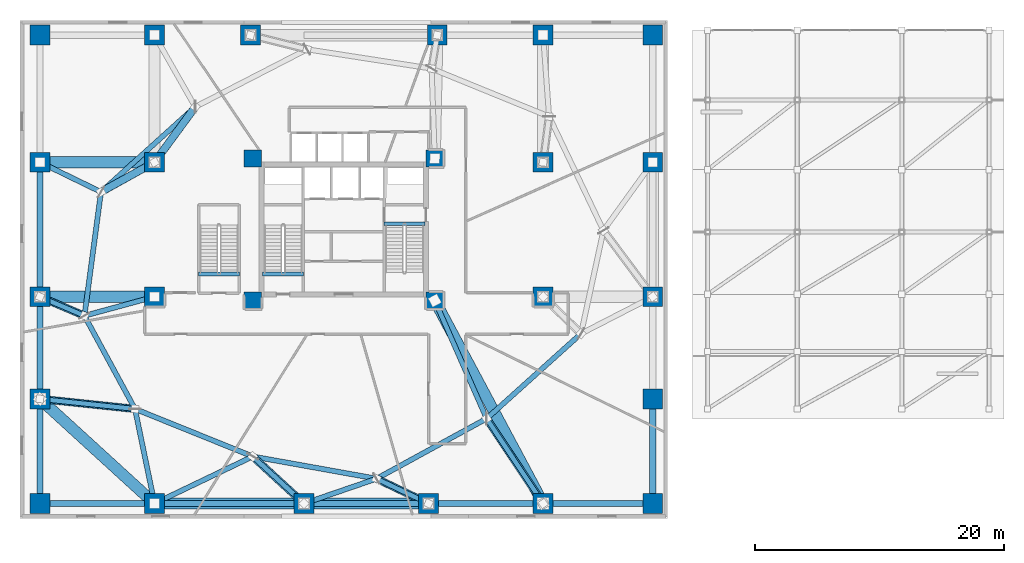
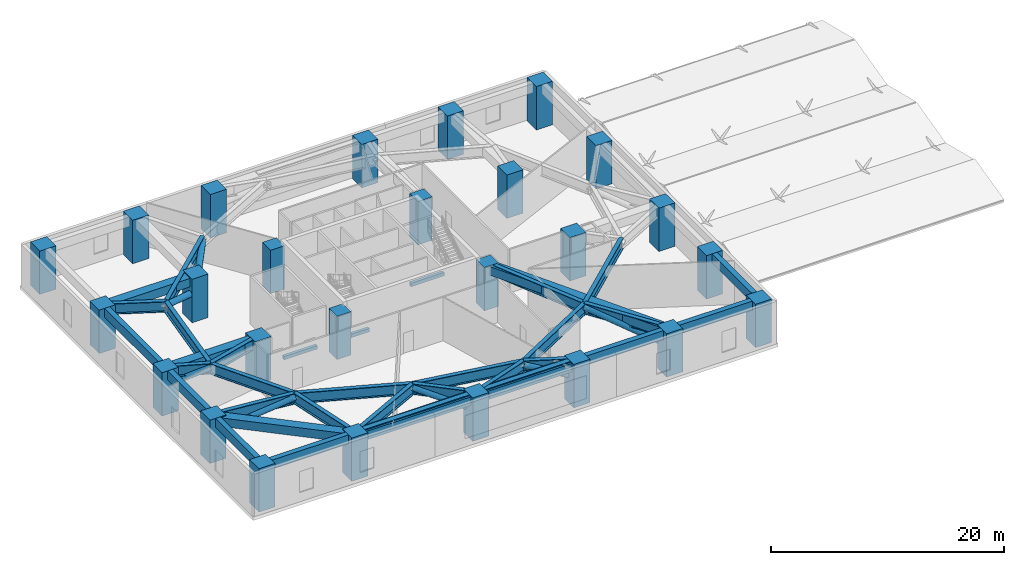
# One storey, part 1 of 13: 30 beams, 26 columns, 13 members.
"""IFC4 building model written with IfcOpenShell, lengths in metres."""

from ifc_helpers import new_model, si_unit, direction, frame, origin, origin_2d, place, context, subcontext, project, spatial, rectangle, hollow_rectangle, hollow_circle, i_section, extrude, source, transform, mapped, material, material_profile, profile_set, type_object, type_shapes, element, save


model = new_model("IFC4")

# Units and contexts
model_context = context("Model", 3, precision=1e-05, world=origin(), true_north=direction((0.0, 1.0)))
body_context = subcontext(model_context, "Body", "Model", "MODEL_VIEW")
ifc_project = project(units=[si_unit("LENGTHUNIT", "METRE"), si_unit("AREAUNIT", "SQUARE_METRE"), si_unit("VOLUMEUNIT", "CUBIC_METRE"), si_unit("PLANEANGLEUNIT", "RADIAN"), si_unit("MASSUNIT", "GRAM", prefix="KILO")], contexts=[model_context])

# Site, building, storey
site_placement = place(None, origin())
site = spatial("IfcSite", under=ifc_project, at=site_placement, CompositionType="ELEMENT")
building_placement = place(site_placement, origin())
building = spatial("IfcBuilding", under=site, at=building_placement, Name="Talar Marvaseh", CompositionType="ELEMENT")
storey_placement = place(building_placement, frame((0.0, 0.0, 19.0)))
storey = spatial("IfcBuildingStorey", under=building, at=storey_placement, Name="L04", CompositionType="ELEMENT", Elevation=19.0)

# Columns
ifc_material_1 = material(Name="Concrete C70/85", Category="concrete")
ifc_material_profile_1 = material_profile(ifc_material_1, rectangle(XDim=1.60009765625, YDim=1.60009765625, at=origin_2d()), Name="RC1600x1600")
ifc_profile_set_1 = profile_set([ifc_material_profile_1], Name="Concrete C70/85")
column_type_1 = type_object("IfcColumnType", Name="Tower Mega Column RC1600x1600", PredefinedType="COLUMN", material=ifc_profile_set_1)
for number, where, z_axis, x_axis, name in (
    (1, (1.60009765625, 9.199951171875, 0.0), (0.0, 0.0, 1.0), (1.0, 0.0, 0.0), "L04 Tower Mega Column RC1600x1600"),
    (2, (1.60009765625, 17.60009765625, 0.0), (0.0, 0.0, 1.0), (1.0, 0.0, 0.0), "L04 Tower Mega Column RC1600x1600"),
    (3, (1.60009765625, 25.800048828125, 0.0), (0.0, 0.0, 1.0), (1.0, 0.0, 0.0), "L04 Tower Mega Column RC1600x1600"),
    (4, (1.60009765625, 36.60009765625, 0.0), (0.0, 0.0, 1.0), (1.0, 0.0, 0.0), "L04 Tower Mega Column RC1600x1600"),
    (5, (1.60009765625, 46.800048828125, 0.0), (0.0, 0.0, 1.0), (1.0, 0.0, 0.0), "L04 Tower Mega Column RC1600x1600"),
    (6, (50.800048828125, 9.199951171875, 0.0), (0.0, 0.0, 1.0), (1.0, 0.0, 0.0), "L04 Tower Mega Column RC1600x1600"),
    (7, (50.800048828125, 17.60009765625, 0.0), (0.0, 0.0, 1.0), (1.0, 0.0, 0.0), "L04 Tower Mega Column RC1600x1600"),
    (8, (50.800048828125, 25.800048828125, 0.0), (0.0, 0.0, 1.0), (1.0, 0.0, 0.0), "L04 Tower Mega Column RC1600x1600"),
    (9, (50.800048828125, 36.60009765625, 0.0), (0.0, 0.0, 1.0), (1.0, 0.0, 0.0), "L04 Tower Mega Column RC1600x1600"),
    (10, (50.800048828125, 46.800048828125, 0.0), (0.0, 0.0, 1.0), (1.0, 0.0, 0.0), "L04 Tower Mega Column RC1600x1600"),
    (11, (10.800048828125, 9.199951171875, 0.0), (0.0, 0.0, 1.0), (1.0, 0.0, 0.0), "L04 Tower Mega Column RC1600x1600"),
    (12, (22.800048828125, 9.199951171875, 0.0), (0.0, 0.0, 1.0), (1.0, 0.0, 0.0), "L04 Tower Mega Column RC1600x1600"),
    (13, (32.800048828125, 9.199951171875, 0.0), (0.0, 0.0, 1.0), (1.0, 0.0, 0.0), "L04 Tower Mega Column RC1600x1600"),
    (14, (42.0, 9.199951171875, 0.0), (0.0, 0.0, 1.0), (1.0, 0.0, 0.0), "L04 Tower Mega Column RC1600x1600"),
    (15, (10.800048828125, 46.800048828125, 0.0), (0.0, 0.0, 1.0), (1.0, 0.0, 0.0), "L04 Tower Mega Column RC1600x1600"),
    (16, (18.5, 46.800048828125, 0.0), (0.0, 0.0, 1.0), (1.0, 0.0, 0.0), "L04 Tower Mega Column RC1600x1600"),
    (17, (33.5, 46.800048828125, 0.0), (0.0, 0.0, 1.0), (1.0, 0.0, 0.0), "L04 Tower Mega Column RC1600x1600"),
    (18, (42.0, 46.800048828125, 0.0), (0.0, 0.0, 1.0), (1.0, 0.0, 0.0), "L04 Tower Mega Column RC1600x1600"),
    (19, (10.800048828125, 25.800048828125, 0.0), (0.0, 0.0, 1.0), (1.0, 0.0, 0.0), "L04 Tower Mega Column RC1600x1600"),
    (20, (10.800048828125, 36.60009765625, 0.0), (0.0, 0.0, 1.0), (1.0, 0.0, 0.0), "L04 Tower Mega Column RC1600x1600"),
    (21, (42.0, 25.800048828125, 0.0), (0.0, 0.0, 1.0), (1.0, 0.0, 0.0), "L04 Tower Mega Column RC1600x1600"),
    (22, (42.0, 36.60009765625, 0.0), (0.0, 0.0, 1.0), (1.0, 0.0, 0.0), "L04 Tower Mega Column RC1600x1600"),
):
    element("IfcColumn", number, at=place(storey_placement, frame(where, z_axis=z_axis, x_axis=x_axis)), inside=storey, type_object=column_type_1, Name=name, PredefinedType="COLUMN", context=body_context, shape_type="SweptSolid", body=[
        extrude(rectangle(XDim=1.60009765625, YDim=1.60009765625, at=origin_2d()), origin(), (0.0, 0.0, 1.0), 4.550048828125),
    ])
ifc_material_profile_2 = material_profile(ifc_material_1, rectangle(XDim=1.39990234375, YDim=1.39990234375, at=origin_2d()), Name="RC1400x1400")
ifc_profile_set_2 = profile_set([ifc_material_profile_2], Name="Concrete C70/85")
column_type_2 = type_object("IfcColumnType", Name="Zone 1 Tube Column RC1400x1400", PredefinedType="COLUMN", material=ifc_profile_set_2)
for number, where, z_axis, x_axis, name in (
    (23, (18.699951171875, 25.5, 0.0), (0.0, 0.0, 1.0), (1.0, 0.0, 0.0), "L04 Zone 1 Tube Column RC1400x1400"),
    (24, (33.300048828125, 25.5, 0.0), (0.0, 0.0, 1.0), (1.0, 0.0, 0.0), "L04 Zone 1 Tube Column RC1400x1400"),
    (25, (33.300048828125, 36.89990234375, 0.0), (0.0, 0.0, 1.0), (1.0, 0.0, 0.0), "L04 Zone 1 Tube Column RC1400x1400"),
    (26, (18.699951171875, 36.89990234375, 0.0), (0.0, 0.0, 1.0), (1.0, 0.0, 0.0), "L04 Zone 1 Tube Column RC1400x1400"),
):
    element("IfcColumn", number, at=place(storey_placement, frame(where, z_axis=z_axis, x_axis=x_axis)), inside=storey, type_object=column_type_2, Name=name, PredefinedType="COLUMN", context=body_context, shape_type="SweptSolid", body=[
        extrude(rectangle(XDim=1.39990234375, YDim=1.39990234375, at=origin_2d()), origin(), (0.0, 0.0, 1.0), 4.550048828125),
    ])

# Beams
ifc_material_2 = material(Name="Concrete C40/50", Category="concrete")
ifc_material_profile_3 = material_profile(ifc_material_2, rectangle(XDim=0.300048828125, YDim=0.360107421875, at=origin_2d()), Name="RC300x360")
ifc_profile_set_3 = profile_set([ifc_material_profile_3], Name="Concrete C40/50")
beam_type_1 = type_object("IfcBeamType", Name="Concrete Stair Landing Trimmer Beam RC300x360", PredefinedType="SPANDREL", material=ifc_profile_set_3)
for number, where, z_axis, x_axis, name in (
    (27, (22.780029296875, 27.6298828125, -0.179931640625), (-1.0, 0.0, 0.0), (0.0, -1.0, 0.0), "L04 ST-1 Stair Nosing Trimmer Beam"),
    (28, (29.219970703125, 31.669921875, -0.179931640625), (1.0, 0.0, 0.0), (0.0, 1.0, 0.0), "L04 ST-2 Stair Nosing Trimmer Beam"),
    (29, (17.6201171875, 27.6298828125, -0.179931640625), (-1.0, 0.0, 0.0), (0.0, -1.0, 0.0), "L04 ST-3 Stair Nosing Trimmer Beam"),
):
    element("IfcBeam", number, at=place(storey_placement, frame(where, z_axis=z_axis, x_axis=x_axis)), inside=storey, type_object=beam_type_1, Name=name, PredefinedType="SPANDREL", context=body_context, shape_type="SweptSolid", body=[
        extrude(rectangle(XDim=0.300048828125, YDim=0.360107421875, at=origin_2d()), origin(), (0.0, 0.0, 1.0), 3.300048828125),
    ])
ifc_material_3 = material(Name="Concrete C50/60", Category="concrete")
ifc_material_profile_4 = material_profile(ifc_material_3, rectangle(XDim=0.5, YDim=0.949951171875, at=origin_2d()), Name="RC500x950")
ifc_profile_set_4 = profile_set([ifc_material_profile_4], Name="Concrete C50/60")
beam_type_2 = type_object("IfcBeamType", Name="Podium Concrete Tie Beam RC500x950", PredefinedType="BEAM", material=ifc_profile_set_4)
beam_1_placement = place(storey_placement, frame((1.60009765625, 9.199951171875, 4.074951171875), z_axis=(1.0, 0.0, 0.0), x_axis=(0.0, 1.0, 0.0)))
element("IfcBeam", 30, at=beam_1_placement, inside=storey, type_object=beam_type_2, Name="L04 Podium Concrete Tie Beam RC500x950", PredefinedType="BEAM", context=body_context, shape_type="SweptSolid", body=[
    extrude(rectangle(XDim=0.5, YDim=0.949951171875, at=origin_2d()), origin(), (0.0, 0.0, 1.0), 9.199951171875),
])
beam_2_placement = place(storey_placement, frame((10.800048828125, 9.199951171875, 4.074951171875), z_axis=(1.0, 0.0, 0.0), x_axis=(0.0, 1.0, 0.0)))
element("IfcBeam", 31, at=beam_2_placement, inside=storey, type_object=beam_type_2, Name="L04 Podium Concrete Tie Beam RC500x950", PredefinedType="BEAM", context=body_context, shape_type="SweptSolid", body=[
    extrude(rectangle(XDim=0.5, YDim=0.949951171875, at=origin_2d()), origin(), (0.0, 0.0, 1.0), 12.0),
])
beam_3_placement = place(storey_placement, frame((22.800048828125, 9.199951171875, 4.074951171875), z_axis=(1.0, 0.0, 0.0), x_axis=(0.0, 1.0, 0.0)))
element("IfcBeam", 32, at=beam_3_placement, inside=storey, type_object=beam_type_2, Name="L04 Podium Concrete Tie Beam RC500x950", PredefinedType="BEAM", context=body_context, shape_type="SweptSolid", body=[
    extrude(rectangle(XDim=0.5, YDim=0.949951171875, at=origin_2d()), origin(), (0.0, 0.0, 1.0), 10.0),
])
beam_4_placement = place(storey_placement, frame((32.800048828125, 9.199951171875, 4.074951171875), z_axis=(1.0, 0.0, 0.0), x_axis=(0.0, 1.0, 0.0)))
element("IfcBeam", 33, at=beam_4_placement, inside=storey, type_object=beam_type_2, Name="L04 Podium Concrete Tie Beam RC500x950", PredefinedType="BEAM", context=body_context, shape_type="SweptSolid", body=[
    extrude(rectangle(XDim=0.5, YDim=0.949951171875, at=origin_2d()), origin(), (0.0, 0.0, 1.0), 9.199951171875),
])
beam_5_placement = place(storey_placement, frame((42.0, 9.199951171875, 4.074951171875), z_axis=(1.0, 0.0, 0.0), x_axis=(0.0, 1.0, 0.0)))
element("IfcBeam", 34, at=beam_5_placement, inside=storey, type_object=beam_type_2, Name="L04 Podium Concrete Tie Beam RC500x950", PredefinedType="BEAM", context=body_context, shape_type="SweptSolid", body=[
    extrude(rectangle(XDim=0.5, YDim=0.949951171875, at=origin_2d()), origin(), (0.0, 0.0, 1.0), 8.800048828125),
])
beam_6_placement = place(storey_placement, frame((1.60009765625, 9.199951171875, 4.074951171875), z_axis=(0.0, 1.0, 0.0), x_axis=(-1.0, 0.0, 0.0)))
element("IfcBeam", 35, at=beam_6_placement, inside=storey, type_object=beam_type_2, Name="L04 Podium Concrete Tie Beam RC500x950", PredefinedType="BEAM", context=body_context, shape_type="SweptSolid", body=[
    extrude(rectangle(XDim=0.5, YDim=0.949951171875, at=origin_2d()), origin(), (0.0, 0.0, 1.0), 8.400146484375),
])
beam_7_placement = place(storey_placement, frame((1.60009765625, 17.60009765625, 4.074951171875), z_axis=(0.0, 1.0, 0.0), x_axis=(-1.0, 0.0, 0.0)))
element("IfcBeam", 36, at=beam_7_placement, inside=storey, type_object=beam_type_2, Name="L04 Podium Concrete Tie Beam RC500x950", PredefinedType="BEAM", context=body_context, shape_type="SweptSolid", body=[
    extrude(rectangle(XDim=0.5, YDim=0.949951171875, at=origin_2d()), origin(), (0.0, 0.0, 1.0), 8.199951171875),
])
beam_8_placement = place(storey_placement, frame((1.60009765625, 25.800048828125, 4.074951171875), z_axis=(0.0, 1.0, 0.0), x_axis=(-1.0, 0.0, 0.0)))
element("IfcBeam", 37, at=beam_8_placement, inside=storey, type_object=beam_type_2, Name="L04 Podium Concrete Tie Beam RC500x950", PredefinedType="BEAM", context=body_context, shape_type="SweptSolid", body=[
    extrude(rectangle(XDim=0.5, YDim=0.949951171875, at=origin_2d()), origin(), (0.0, 0.0, 1.0), 10.800048828125),
])
beam_9_placement = place(storey_placement, frame((50.800048828125, 9.199951171875, 4.074951171875), z_axis=(0.0, 1.0, 0.0), x_axis=(-1.0, 0.0, 0.0)))
element("IfcBeam", 38, at=beam_9_placement, inside=storey, type_object=beam_type_2, Name="L04 Podium Concrete Tie Beam RC500x950", PredefinedType="BEAM", context=body_context, shape_type="SweptSolid", body=[
    extrude(rectangle(XDim=0.5, YDim=0.949951171875, at=origin_2d()), origin(), (0.0, 0.0, 1.0), 8.400146484375),
])
ifc_material_4 = material(Name="Steel S460", Category="steel")
ifc_material_profile_5 = material_profile(ifc_material_4, i_section(OverallWidth=0.405029296875, OverallDepth=1.117919921875, WebThickness=0.02587890625, FlangeThickness=0.044921875, at=origin_2d()), Name="W1100x499")
ifc_profile_set_5 = profile_set([ifc_material_profile_5], Name="Steel S460")
beam_type_3 = type_object("IfcBeamType", Name="Podium Transfer Girder W1100x499", PredefinedType="BEAM", material=ifc_profile_set_5)
beam_10_placement = place(storey_placement, frame((45.0439453125, 22.840087890625, 3.990966796875), z_axis=(-0.743257224494, -0.669005753516, 0.0), x_axis=(0.669005753516, -0.743257224494, 0.0)))
element("IfcBeam", 39, at=beam_10_placement, inside=storey, type_object=beam_type_3, Name="L04 Transfer Ring Girder 3", PredefinedType="BEAM", context=body_context, shape_type="SweptSolid", body=[
    extrude(i_section(OverallWidth=0.405029296875, OverallDepth=1.117919921875, WebThickness=0.02587890625, FlangeThickness=0.044921875, at=origin_2d()), origin(), (0.0, 0.0, 1.0), 10.19287109375),
])
beam_11_placement = place(storey_placement, frame((37.468017578125, 16.02099609375, 3.990966796875), z_axis=(-0.877792749602, -0.47904059196, 0.0), x_axis=(0.47904059196, -0.877792749602, 0.0)))
element("IfcBeam", 40, at=beam_11_placement, inside=storey, type_object=beam_type_3, Name="L04 Transfer Ring Girder 4", PredefinedType="BEAM", context=body_context, shape_type="SweptSolid", body=[
    extrude(i_section(OverallWidth=0.405029296875, OverallDepth=1.117919921875, WebThickness=0.02587890625, FlangeThickness=0.044921875, at=origin_2d()), origin(), (0.0, 0.0, 1.0), 10.07421875),
])
beam_12_placement = place(storey_placement, frame((28.625, 11.195068359375, 3.990966796875), z_axis=(-0.984279934962, 0.176615428632, 0.0), x_axis=(-0.176615428632, -0.984279934962, 0.0)))
element("IfcBeam", 41, at=beam_12_placement, inside=storey, type_object=beam_type_3, Name="L04 Transfer Ring Girder 5", PredefinedType="BEAM", context=body_context, shape_type="SweptSolid", body=[
    extrude(i_section(OverallWidth=0.405029296875, OverallDepth=1.117919921875, WebThickness=0.02587890625, FlangeThickness=0.044921875, at=origin_2d()), origin(), (0.0, 0.0, 1.0), 10.1005859375),
])
beam_13_placement = place(storey_placement, frame((18.68310546875, 12.97900390625, 3.990966796875), z_axis=(-0.927239278118, 0.374469386084, 0.0), x_axis=(-0.374469386084, -0.927239278118, 0.0)))
element("IfcBeam", 42, at=beam_13_placement, inside=storey, type_object=beam_type_3, Name="L04 Transfer Ring Girder 6", PredefinedType="BEAM", context=body_context, shape_type="SweptSolid", body=[
    extrude(i_section(OverallWidth=0.405029296875, OverallDepth=1.117919921875, WebThickness=0.02587890625, FlangeThickness=0.044921875, at=origin_2d()), origin(), (0.0, 0.0, 1.0), 10.19287109375),
])
beam_14_placement = place(storey_placement, frame((9.23193359375, 16.7958984375, 3.990966796875), z_axis=(-0.476758155578, 0.879034505062, 0.0), x_axis=(-0.879034505062, -0.476758155578, 0.0)))
element("IfcBeam", 43, at=beam_14_placement, inside=storey, type_object=beam_type_3, Name="L04 Transfer Ring Girder 7", PredefinedType="BEAM", context=body_context, shape_type="SweptSolid", body=[
    extrude(i_section(OverallWidth=0.405029296875, OverallDepth=1.117919921875, WebThickness=0.02587890625, FlangeThickness=0.044921875, at=origin_2d()), origin(), (0.0, 0.0, 1.0), 8.50927734375),
])
beam_15_placement = place(storey_placement, frame((5.175048828125, 24.27587890625, 3.990966796875), z_axis=(0.132340758564, 0.991204279461, 0.0), x_axis=(-0.991204279461, 0.132340758564, 0.0)))
element("IfcBeam", 44, at=beam_15_placement, inside=storey, type_object=beam_type_3, Name="L04 Transfer Ring Girder 8", PredefinedType="BEAM", context=body_context, shape_type="SweptSolid", body=[
    extrude(i_section(OverallWidth=0.405029296875, OverallDepth=1.117919921875, WebThickness=0.02587890625, FlangeThickness=0.044921875, at=origin_2d()), origin(), (0.0, 0.0, 1.0), 10.0263671875),
])
beam_16_placement = place(storey_placement, frame((6.501953125, 34.214111328125, 3.990966796875), z_axis=(0.742394279812, 0.669963232799, 0.0), x_axis=(-0.669963232799, 0.742394279812, 0.0)))
element("IfcBeam", 45, at=beam_16_placement, inside=storey, type_object=beam_type_3, Name="L04 Transfer Ring Girder 9", PredefinedType="BEAM", context=body_context, shape_type="SweptSolid", body=[
    extrude(i_section(OverallWidth=0.405029296875, OverallDepth=1.117919921875, WebThickness=0.02587890625, FlangeThickness=0.044921875, at=origin_2d()), origin(), (0.0, 0.0, 1.0), 10.19287109375),
])
beam_17_placement = place(storey_placement, frame((42.0, 9.199951171875, 3.990966796875), z_axis=(-0.553399259173, 0.832916118194, 0.0), x_axis=(-0.832916118194, -0.553399259173, 0.0)))
element("IfcBeam", 46, at=beam_17_placement, inside=storey, type_object=beam_type_3, Name="L04 Podium Transfer Girder A4", PredefinedType="BEAM", context=body_context, shape_type="SweptSolid", body=[
    extrude(i_section(OverallWidth=0.405029296875, OverallDepth=1.117919921875, WebThickness=0.02587890625, FlangeThickness=0.044921875, at=origin_2d()), origin(), (0.0, 0.0, 1.0), 8.189453125),
])
beam_18_placement = place(storey_placement, frame((37.468017578125, 16.02099609375, 3.990966796875), z_axis=(-0.402512625991, 0.915414433969, 0.0), x_axis=(-0.915414433969, -0.402512625991, 0.0)))
element("IfcBeam", 47, at=beam_18_placement, inside=storey, type_object=beam_type_3, Name="L04 Podium Transfer Girder B4", PredefinedType="BEAM", context=body_context, shape_type="SweptSolid", body=[
    extrude(i_section(OverallWidth=0.405029296875, OverallDepth=1.117919921875, WebThickness=0.02587890625, FlangeThickness=0.044921875, at=origin_2d()), origin(), (0.0, 0.0, 1.0), 10.35498046875),
])
beam_19_placement = place(storey_placement, frame((32.800048828125, 9.199951171875, 3.990966796875), z_axis=(-0.902272572415, 0.431166099163, 0.0), x_axis=(-0.431166099163, -0.902272572415, 0.0)))
element("IfcBeam", 48, at=beam_19_placement, inside=storey, type_object=beam_type_3, Name="L04 Podium Transfer Girder A5", PredefinedType="BEAM", context=body_context, shape_type="SweptSolid", body=[
    extrude(i_section(OverallWidth=0.405029296875, OverallDepth=1.117919921875, WebThickness=0.02587890625, FlangeThickness=0.044921875, at=origin_2d()), origin(), (0.0, 0.0, 1.0), 4.627197265625),
])
beam_20_placement = place(storey_placement, frame((28.625, 11.195068359375, 3.990966796875), z_axis=(-0.946046000021, -0.324032353082, 0.0), x_axis=(0.324032353082, -0.946046000021, 0.0)))
element("IfcBeam", 49, at=beam_20_placement, inside=storey, type_object=beam_type_3, Name="L04 Podium Transfer Girder B5", PredefinedType="BEAM", context=body_context, shape_type="SweptSolid", body=[
    extrude(i_section(OverallWidth=0.405029296875, OverallDepth=1.117919921875, WebThickness=0.02587890625, FlangeThickness=0.044921875, at=origin_2d()), origin(), (0.0, 0.0, 1.0), 6.1572265625),
])
beam_21_placement = place(storey_placement, frame((22.800048828125, 9.199951171875, 3.990966796875), z_axis=(-0.736691546283, 0.676228929901, 0.0), x_axis=(-0.676228929901, -0.736691546283, 0.0)))
element("IfcBeam", 50, at=beam_21_placement, inside=storey, type_object=beam_type_3, Name="L04 Podium Transfer Girder A6", PredefinedType="BEAM", context=body_context, shape_type="SweptSolid", body=[
    extrude(i_section(OverallWidth=0.405029296875, OverallDepth=1.117919921875, WebThickness=0.02587890625, FlangeThickness=0.044921875, at=origin_2d()), origin(), (0.0, 0.0, 1.0), 5.58837890625),
])
beam_22_placement = place(storey_placement, frame((18.68310546875, 12.97900390625, 3.990966796875), z_axis=(-0.901737792469, -0.43228341818, 0.0), x_axis=(0.43228341818, -0.901737792469, 0.0)))
element("IfcBeam", 51, at=beam_22_placement, inside=storey, type_object=beam_type_3, Name="L04 Podium Transfer Girder B6", PredefinedType="BEAM", context=body_context, shape_type="SweptSolid", body=[
    extrude(i_section(OverallWidth=0.405029296875, OverallDepth=1.117919921875, WebThickness=0.02587890625, FlangeThickness=0.044921875, at=origin_2d()), origin(), (0.0, 0.0, 1.0), 8.7421875),
])
beam_23_placement = place(storey_placement, frame((1.60009765625, 17.60009765625, 3.990966796875), z_axis=(0.994493941714, -0.104794083301, 0.0), x_axis=(0.104794083301, 0.994493941714, 0.0)))
element("IfcBeam", 52, at=beam_23_placement, inside=storey, type_object=beam_type_3, Name="L04 Podium Transfer Girder A7", PredefinedType="BEAM", context=body_context, shape_type="SweptSolid", body=[
    extrude(i_section(OverallWidth=0.405029296875, OverallDepth=1.117919921875, WebThickness=0.02587890625, FlangeThickness=0.044921875, at=origin_2d()), origin(), (0.0, 0.0, 1.0), 7.674072265625),
])
beam_24_placement = place(storey_placement, frame((9.23193359375, 16.7958984375, 3.990966796875), z_axis=(0.202177789659, -0.979348835384, 0.0), x_axis=(0.979348835384, 0.202177789659, 0.0)))
element("IfcBeam", 53, at=beam_24_placement, inside=storey, type_object=beam_type_3, Name="L04 Podium Transfer Girder B7", PredefinedType="BEAM", context=body_context, shape_type="SweptSolid", body=[
    extrude(i_section(OverallWidth=0.405029296875, OverallDepth=1.117919921875, WebThickness=0.02587890625, FlangeThickness=0.044921875, at=origin_2d()), origin(), (0.0, 0.0, 1.0), 7.756103515625),
])
beam_25_placement = place(storey_placement, frame((1.60009765625, 25.800048828125, 3.990966796875), z_axis=(0.919884256075, -0.392189948144, 0.0), x_axis=(0.392189948144, 0.919884256075, 0.0)))
element("IfcBeam", 54, at=beam_25_placement, inside=storey, type_object=beam_type_3, Name="L04 Podium Transfer Girder A8", PredefinedType="BEAM", context=body_context, shape_type="SweptSolid", body=[
    extrude(i_section(OverallWidth=0.405029296875, OverallDepth=1.117919921875, WebThickness=0.02587890625, FlangeThickness=0.044921875, at=origin_2d()), origin(), (0.0, 0.0, 1.0), 3.88623046875),
])
beam_26_placement = place(storey_placement, frame((5.175048828125, 24.27587890625, 3.990966796875), z_axis=(0.96519465351, 0.261532561713, 0.0), x_axis=(-0.261532561713, 0.96519465351, 0.0)))
element("IfcBeam", 55, at=beam_26_placement, inside=storey, type_object=beam_type_3, Name="L04 Podium Transfer Girder B8", PredefinedType="BEAM", context=body_context, shape_type="SweptSolid", body=[
    extrude(i_section(OverallWidth=0.405029296875, OverallDepth=1.117919921875, WebThickness=0.02587890625, FlangeThickness=0.044921875, at=origin_2d()), origin(), (0.0, 0.0, 1.0), 5.827880859375),
])
beam_27_placement = place(storey_placement, frame((6.501953125, 34.214111328125, 3.990966796875), z_axis=(-0.89914127101, 0.437658513875, 0.0), x_axis=(-0.437658513875, -0.89914127101, 0.0)))
element("IfcBeam", 56, at=beam_27_placement, inside=storey, type_object=beam_type_3, Name="L04 Podium Transfer Girder B9", PredefinedType="BEAM", context=body_context, shape_type="SweptSolid", body=[
    extrude(i_section(OverallWidth=0.405029296875, OverallDepth=1.117919921875, WebThickness=0.02587890625, FlangeThickness=0.044921875, at=origin_2d()), origin(), (0.0, 0.0, 1.0), 5.45166015625),
])

# Members
ifc_material_profile_6 = material_profile(ifc_material_4, hollow_rectangle(XDim=0.89990234375, YDim=0.89990234375, WallThickness=0.044921875, at=origin_2d()), Name="BOX900x900x45")
ifc_profile_set_6 = profile_set([ifc_material_profile_6], Name="Steel S460")
member_type_1 = type_object("IfcMemberType", Name="Transfer Truss Chord Member BOX900x900x45", PredefinedType="CHORD", material=ifc_profile_set_6)
shared_shape_1 = source(origin(), body_context, "Body", "SweptSolid", [
    extrude(hollow_rectangle(XDim=0.89990234375, YDim=0.89990234375, WallThickness=0.044921875, at=origin_2d()), origin(), (0.0, 0.0, 1.0), 18.4765625),
])
member_1_placement = place(storey_placement, frame((42.0, 9.199951171875, 4.0), z_axis=(-0.470865971516, 0.882204759037, 0.0), x_axis=(-0.882204759037, -0.470865971516, 0.0)))
element("IfcMember", 57, at=member_1_placement, inside=storey, type_object=member_type_1, Name="L04 Transfer Truss Upper Chord 4", PredefinedType="CHORD", context=body_context, shape_type="MappedRepresentation", body=[
    mapped(shared_shape_1, transform((0.0, 0.0, 0.0), x_axis=(1.0, 0.0, 0.0), y_axis=(0.0, 1.0, 0.0), z_axis=(0.0, 0.0, 1.0), scale=1.0)),
])
ifc_material_profile_7 = material_profile(ifc_material_4, hollow_circle(Radius=0.304931640625, WallThickness=0.02490234375, at=origin_2d()), Name="CHS610x25")
ifc_profile_set_7 = profile_set([ifc_material_profile_7], Name="Steel S460")
member_type_2 = type_object("IfcMemberType", Name="Outrigger Diagonal Brace CHS610x25", PredefinedType="BRACE", material=ifc_profile_set_7)
shared_shape_2 = source(origin(), body_context, "Body", "SweptSolid", [
    extrude(hollow_circle(Radius=0.304931640625, WallThickness=0.02490234375, at=origin_2d()), origin(), (0.0, 0.0, 1.0), 8.32568359375),
])
member_2_placement = place(storey_placement, frame((42.0, 9.199951171875, 2.550048828125), z_axis=(-0.5443434213, 0.819286260178, 0.18016732104), x_axis=(-0.832916118194, -0.553399259173, 0.0)))
element("IfcMember", 58, at=member_2_placement, inside=storey, type_object=member_type_2, Name="L04 Transfer Truss Raked Strut 4", PredefinedType="BRACE", context=body_context, shape_type="MappedRepresentation", body=[
    mapped(shared_shape_2, transform((0.0, 0.0, 0.0), x_axis=(1.0, 0.0, 0.0), y_axis=(0.0, 1.0, 0.0), z_axis=(0.0, 0.0, 1.0), scale=1.0)),
])
shared_shape_3 = source(origin(), body_context, "Body", "SweptSolid", [
    extrude(hollow_rectangle(XDim=0.89990234375, YDim=0.89990234375, WallThickness=0.044921875, at=origin_2d()), origin(), (0.0, 0.0, 1.0), 10.0),
])
member_3_placement = place(storey_placement, frame((32.800048828125, 9.199951171875, 4.0), z_axis=(-1.0, 0.0, 0.0), x_axis=(0.0, -1.0, 0.0)))
element("IfcMember", 59, at=member_3_placement, inside=storey, type_object=member_type_1, Name="L04 Transfer Truss Upper Chord 5", PredefinedType="CHORD", context=body_context, shape_type="MappedRepresentation", body=[
    mapped(shared_shape_3, transform((0.0, 0.0, 0.0), x_axis=(1.0, 0.0, 0.0), y_axis=(0.0, 1.0, 0.0), z_axis=(0.0, 0.0, 1.0), scale=1.0)),
])
shared_shape_4 = source(origin(), body_context, "Body", "SweptSolid", [
    extrude(hollow_circle(Radius=0.304931640625, WallThickness=0.02490234375, at=origin_2d()), origin(), (0.0, 0.0, 1.0), 4.8642578125),
])
member_4_placement = place(storey_placement, frame((32.800048828125, 9.199951171875, 2.550048828125), z_axis=(-0.858302130042, 0.410154084948, 0.30836841629), x_axis=(-0.431166099163, -0.902272572415, 0.0)))
element("IfcMember", 60, at=member_4_placement, inside=storey, type_object=member_type_2, Name="L04 Transfer Truss Raked Strut 5", PredefinedType="BRACE", context=body_context, shape_type="MappedRepresentation", body=[
    mapped(shared_shape_4, transform((0.0, 0.0, 0.0), x_axis=(1.0, 0.0, 0.0), y_axis=(0.0, 1.0, 0.0), z_axis=(0.0, 0.0, 1.0), scale=1.0)),
])
shared_shape_5 = source(origin(), body_context, "Body", "SweptSolid", [
    extrude(hollow_rectangle(XDim=0.89990234375, YDim=0.89990234375, WallThickness=0.044921875, at=origin_2d()), origin(), (0.0, 0.0, 1.0), 12.0),
])
member_5_placement = place(storey_placement, frame((22.800048828125, 9.199951171875, 4.0), z_axis=(-1.0, 0.0, 0.0), x_axis=(0.0, -1.0, 0.0)))
element("IfcMember", 61, at=member_5_placement, inside=storey, type_object=member_type_1, Name="L04 Transfer Truss Upper Chord 6", PredefinedType="CHORD", context=body_context, shape_type="MappedRepresentation", body=[
    mapped(shared_shape_5, transform((0.0, 0.0, 0.0), x_axis=(1.0, 0.0, 0.0), y_axis=(0.0, 1.0, 0.0), z_axis=(0.0, 0.0, 1.0), scale=1.0)),
])
shared_shape_6 = source(origin(), body_context, "Body", "SweptSolid", [
    extrude(hollow_circle(Radius=0.304931640625, WallThickness=0.02490234375, at=origin_2d()), origin(), (0.0, 0.0, 1.0), 5.7861328125),
])
member_6_placement = place(storey_placement, frame((22.800048828125, 9.199951171875, 2.550048828125), z_axis=(-0.711506987753, 0.653111348125, 0.259236134303), x_axis=(-0.676228929901, -0.736691546283, 0.0)))
element("IfcMember", 62, at=member_6_placement, inside=storey, type_object=member_type_2, Name="L04 Transfer Truss Raked Strut 6", PredefinedType="BRACE", context=body_context, shape_type="MappedRepresentation", body=[
    mapped(shared_shape_6, transform((0.0, 0.0, 0.0), x_axis=(1.0, 0.0, 0.0), y_axis=(0.0, 1.0, 0.0), z_axis=(0.0, 0.0, 1.0), scale=1.0)),
])
shared_shape_7 = source(origin(), body_context, "Body", "SweptSolid", [
    extrude(hollow_rectangle(XDim=0.89990234375, YDim=0.89990234375, WallThickness=0.044921875, at=origin_2d()), origin(), (0.0, 0.0, 1.0), 12.4580078125),
])
member_7_placement = place(storey_placement, frame((1.60009765625, 17.60009765625, 4.0), z_axis=(0.738477857069, -0.674277728105, 0.0), x_axis=(0.674277728105, 0.738477857069, 0.0)))
element("IfcMember", 63, at=member_7_placement, inside=storey, type_object=member_type_1, Name="L04 Transfer Truss Upper Chord 7", PredefinedType="CHORD", context=body_context, shape_type="MappedRepresentation", body=[
    mapped(shared_shape_7, transform((0.0, 0.0, 0.0), x_axis=(1.0, 0.0, 0.0), y_axis=(0.0, 1.0, 0.0), z_axis=(0.0, 0.0, 1.0), scale=1.0)),
])
shared_shape_8 = source(origin(), body_context, "Body", "SweptSolid", [
    extrude(hollow_circle(Radius=0.304931640625, WallThickness=0.02490234375, at=origin_2d()), origin(), (0.0, 0.0, 1.0), 7.8193359375),
])
member_8_placement = place(storey_placement, frame((1.60009765625, 17.60009765625, 2.550048828125), z_axis=(0.976023841802, -0.102847809817, 0.191832709022), x_axis=(0.104794083301, 0.994493941714, 0.0)))
element("IfcMember", 64, at=member_8_placement, inside=storey, type_object=member_type_2, Name="L04 Transfer Truss Raked Strut 7", PredefinedType="BRACE", context=body_context, shape_type="MappedRepresentation", body=[
    mapped(shared_shape_8, transform((0.0, 0.0, 0.0), x_axis=(1.0, 0.0, 0.0), y_axis=(0.0, 1.0, 0.0), z_axis=(0.0, 0.0, 1.0), scale=1.0)),
])
shared_shape_9 = source(origin(), body_context, "Body", "SweptSolid", [
    extrude(hollow_rectangle(XDim=0.89990234375, YDim=0.89990234375, WallThickness=0.044921875, at=origin_2d()), origin(), (0.0, 0.0, 1.0), 9.199951171875),
])
type_shapes(member_type_1, [shared_shape_1, shared_shape_3, shared_shape_5, shared_shape_7, shared_shape_9])
for number, where, z_axis, x_axis, name in (
    (65, (1.60009765625, 25.800048828125, 4.0), (1.0, 0.0, 0.0), (0.0, 1.0, 0.0), "L04 Transfer Truss Upper Chord 8"),
    (66, (10.800048828125, 36.60009765625, 4.0), (-1.0, 0.0, 0.0), (0.0, -1.0, 0.0), "L04 Transfer Truss Upper Chord 9"),
):
    element("IfcMember", number, at=place(storey_placement, frame(where, z_axis=z_axis, x_axis=x_axis)), inside=storey, type_object=member_type_1, Name=name, PredefinedType="CHORD", context=body_context, shape_type="MappedRepresentation", body=[
        mapped(shared_shape_9, transform((0.0, 0.0, 0.0), x_axis=(1.0, 0.0, 0.0), y_axis=(0.0, 1.0, 0.0), z_axis=(0.0, 0.0, 1.0), scale=1.0)),
    ])
shared_shape_10 = source(origin(), body_context, "Body", "SweptSolid", [
    extrude(hollow_circle(Radius=0.304931640625, WallThickness=0.02490234375, at=origin_2d()), origin(), (0.0, 0.0, 1.0), 4.165771484375),
])
member_9_placement = place(storey_placement, frame((1.60009765625, 25.800048828125, 2.550048828125), z_axis=(0.858179632734, -0.365882363393, 0.360080288433), x_axis=(0.392189948144, 0.919884256075, 0.0)))
element("IfcMember", 67, at=member_9_placement, inside=storey, type_object=member_type_2, Name="L04 Transfer Truss Raked Strut 8", PredefinedType="BRACE", context=body_context, shape_type="MappedRepresentation", body=[
    mapped(shared_shape_10, transform((0.0, 0.0, 0.0), x_axis=(1.0, 0.0, 0.0), y_axis=(0.0, 1.0, 0.0), z_axis=(0.0, 0.0, 1.0), scale=1.0)),
])
shared_shape_11 = source(origin(), body_context, "Body", "SweptSolid", [
    extrude(hollow_circle(Radius=0.304931640625, WallThickness=0.02490234375, at=origin_2d()), origin(), (0.0, 0.0, 1.0), 5.1396484375),
])
member_10_placement = place(storey_placement, frame((10.800048828125, 36.60009765625, 2.550048828125), z_axis=(-0.836253543966, -0.464226406429, 0.291845599212), x_axis=(0.485356171699, -0.874316525403, 0.0)))
element("IfcMember", 68, at=member_10_placement, inside=storey, type_object=member_type_2, Name="L04 Transfer Truss Raked Strut 9", PredefinedType="BRACE", context=body_context, shape_type="MappedRepresentation", body=[
    mapped(shared_shape_11, transform((0.0, 0.0, 0.0), x_axis=(1.0, 0.0, 0.0), y_axis=(0.0, 1.0, 0.0), z_axis=(0.0, 0.0, 1.0), scale=1.0)),
])
shared_shape_12 = source(origin(), body_context, "Body", "SweptSolid", [
    extrude(hollow_circle(Radius=0.304931640625, WallThickness=0.02490234375, at=origin_2d()), origin(), (0.0, 0.0, 1.0), 5.71630859375),
])
type_shapes(member_type_2, [shared_shape_2, shared_shape_4, shared_shape_6, shared_shape_8, shared_shape_10, shared_shape_11, shared_shape_12])
member_11_placement = place(storey_placement, frame((10.800048828125, 36.60009765625, 2.550048828125), z_axis=(0.571883908558, 0.777232514409, 0.262408867377), x_axis=(-0.805458369652, 0.592652355734, 0.0)))
element("IfcMember", 69, at=member_11_placement, inside=storey, type_object=member_type_2, Name="L04 Transfer Truss Raked Strut 10", PredefinedType="BRACE", context=body_context, shape_type="MappedRepresentation", body=[
    mapped(shared_shape_12, transform((0.0, 0.0, 0.0), x_axis=(1.0, 0.0, 0.0), y_axis=(0.0, 1.0, 0.0), z_axis=(0.0, 0.0, 1.0), scale=1.0)),
])

save(model, "model.ifc")
